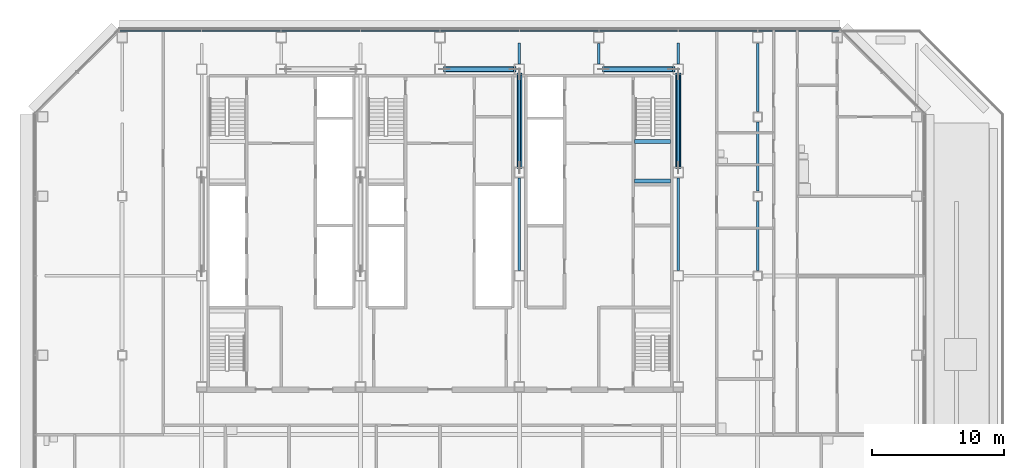
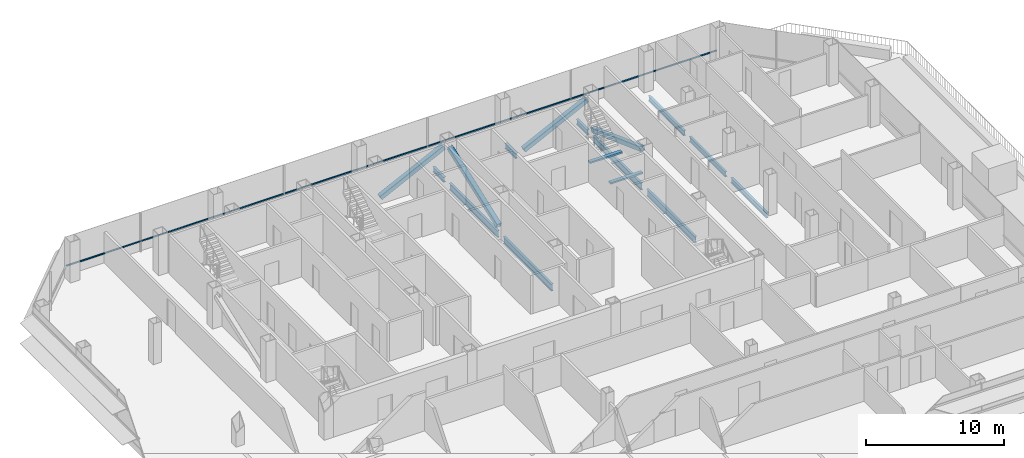
# One storey, part 12 of 28: 12 beams, 5 members, 1 element without a shape of its own.
"""IFC4 building model written with IfcOpenShell, lengths in metres."""

from ifc_helpers import new_model, si_unit, direction, frame, origin, origin_2d, place, context, subcontext, project, spatial, rectangle, hollow_rectangle, i_section, extrude, material, material_profile, profile_set, type_object, element, aggregate, save


model = new_model("IFC4")

# Units and contexts
model_context = context("Model", 3, precision=1e-05, world=origin(), true_north=direction((0.0, 1.0)))
body_context = subcontext(model_context, "Body", "Model", "MODEL_VIEW")
ifc_project = project(units=[si_unit("LENGTHUNIT", "METRE"), si_unit("AREAUNIT", "SQUARE_METRE"), si_unit("VOLUMEUNIT", "CUBIC_METRE"), si_unit("PLANEANGLEUNIT", "RADIAN"), si_unit("MASSUNIT", "GRAM", prefix="KILO")], contexts=[model_context])

# Site, building, storey
site_placement = place(None, origin())
site = spatial("IfcSite", under=ifc_project, at=site_placement, CompositionType="ELEMENT")
building_placement = place(site_placement, origin())
building = spatial("IfcBuilding", under=site, at=building_placement, Name="Sorahane Residences", CompositionType="ELEMENT")
storey_placement = place(building_placement, frame((0.0, 0.0, 96.199951171875)))
storey = spatial("IfcBuildingStorey", under=building, at=storey_placement, Name="L20", CompositionType="ELEMENT", Elevation=96.199951171875)

# Members
ifc_material_1 = material(Name="Steel Q355B", Category="steel")
ifc_material_profile_1 = material_profile(ifc_material_1, hollow_rectangle(XDim=0.39990234375, YDim=0.39990234375, WallThickness=0.02001953125, InnerFilletRadius=0.010009765625, OuterFilletRadius=0.030029296875, at=origin_2d()), Name="RHS 400x400x20")
ifc_profile_set_1 = profile_set([ifc_material_profile_1], Name="Steel Q355B")
member_type_1 = type_object("IfcMemberType", Name="Core brace RHS 400x400x20 Q355B", PredefinedType="BRACE", material=ifc_profile_set_1)
for number, where, z_axis, x_axis, name in (
    (1, (24.346923828125, 45.60009765625, 0.173828125), (0.896480070819, 0.0, 0.443084058192), (0.0, 1.0, 0.0), "Core brace L20 y45.6-4"),
    (2, (36.346923828125, 45.60009765625, 0.173828125), (0.896480070819, 0.0, 0.443084058192), (0.0, 1.0, 0.0), "Core brace L20 y45.6-6"),
):
    element("IfcMember", number, at=place(storey_placement, frame(where, z_axis=z_axis, x_axis=x_axis)), inside=storey, type_object=member_type_1, Name=name, PredefinedType="BRACE", context=body_context, shape_type="SweptSolid", body=[
        extrude(hollow_rectangle(XDim=0.39990234375, YDim=0.39990234375, WallThickness=0.02001953125, InnerFilletRadius=0.010009765625, OuterFilletRadius=0.030029296875, at=origin_2d()), origin(), (0.0, 0.0, 1.0), 5.9189453125),
    ])
for number, where, z_axis, x_axis, name in (
    (3, (42.0, 45.241455078125, 0.184814453125), (0.0, -0.938733651637, 0.344643484319), (1.0, 0.0, 0.0), "Core brace L20 x42-3"),
    (4, (30.0, 38.15869140625, 0.184814453125), (0.0, 0.938733651637, 0.344643484319), (-1.0, 0.0, 0.0), "Core brace L20 x30-2"),
):
    element("IfcMember", number, at=place(storey_placement, frame(where, z_axis=z_axis, x_axis=x_axis)), inside=storey, type_object=member_type_1, Name=name, PredefinedType="BRACE", context=body_context, shape_type="SweptSolid", body=[
        extrude(hollow_rectangle(XDim=0.39990234375, YDim=0.39990234375, WallThickness=0.02001953125, InnerFilletRadius=0.010009765625, OuterFilletRadius=0.030029296875, at=origin_2d()), origin(), (0.0, 0.0, 1.0), 7.544921875),
    ])

# Curtain wall, member
ifc_material_2 = material(Name="Dark low-e glass and black anodised aluminium", Category="aluminium")
curtain_wall_type = type_object("IfcCurtainWallType", Name="Curtain wall CW-1 Typical unitised wall", PredefinedType="NOTDEFINED", material=ifc_material_2)
curtain_wall_placement = place(storey_placement, origin())
curtain_wall = element("IfcCurtainWall", 5, at=curtain_wall_placement, inside=storey, type_object=curtain_wall_type, Name="CW-1 curtain wall L20 N1", PredefinedType="NOTDEFINED")
ifc_material_3 = material(Name="Black anodised aluminium", Category="aluminium")
ifc_material_profile_2 = material_profile(ifc_material_3, rectangle(XDim=0.10009765625, YDim=0.06005859375, at=origin_2d()), Name="Curtain wall transom CW-1 black anodised aluminium 60x100")
ifc_profile_set_2 = profile_set([ifc_material_profile_2], Name="Black anodised aluminium")
member_type_2 = type_object("IfcMemberType", Name="Curtain wall transom CW-1 black anodised aluminium 60x100", PredefinedType="USERDEFINED", material=ifc_profile_set_2)
member_placement = place(storey_placement, frame((54.198486328125, 48.530029296875, 0.900146484375), z_axis=(-1.0, 0.0, 0.0), x_axis=(0.0, -1.0, 0.0)))
member = element("IfcMember", 6, at=member_placement, type_object=member_type_2, Name="CW-1 transom L20 N1", ObjectType="TRANSOM", PredefinedType="USERDEFINED", context=body_context, shape_type="SweptSolid", body=[
    extrude(rectangle(XDim=0.10009765625, YDim=0.06005859375, at=origin_2d()), origin(), (0.0, 0.0, 1.0), 54.39697265625),
])
aggregate(curtain_wall, [member])

# Beams
ifc_material_4 = material(Name="Concrete C40", Category="concrete")
ifc_material_profile_3 = material_profile(ifc_material_4, rectangle(XDim=0.300048828125, YDim=0.139892578125, at=origin_2d()), Name="300x140")
ifc_profile_set_3 = profile_set([ifc_material_profile_3], Name="Concrete C40")
beam_type_1 = type_object("IfcBeamType", Name="RC landing beam 300 x 140 Concrete C40", PredefinedType="BEAM", material=ifc_profile_set_3)
for number, where, z_axis, x_axis, name in (
    (7, (38.699951171875, 37.14990234375, 1.530029296875), (1.0, 0.0, 0.0), (0.0, 1.0, 0.0), "Landing beam"),
    (8, (38.699951171875, 40.14990234375, 1.530029296875), (1.0, 0.0, 0.0), (0.0, 1.0, 0.0), "Landing beam"),
):
    element("IfcBeam", number, at=place(storey_placement, frame(where, z_axis=z_axis, x_axis=x_axis)), inside=storey, type_object=beam_type_1, Name=name, PredefinedType="BEAM", context=body_context, shape_type="SweptSolid", body=[
        extrude(rectangle(XDim=0.300048828125, YDim=0.139892578125, at=origin_2d()), origin(), (0.0, 0.0, 1.0), 2.699951171875),
    ])
ifc_material_5 = material(Name="Steel Q355B", Category="steel")
ifc_material_profile_4 = material_profile(ifc_material_5, i_section(OverallWidth=0.199951171875, OverallDepth=0.449951171875, WebThickness=0.009033203125, FlangeThickness=0.013916015625, FilletRadius=0.02001953125, at=origin_2d()), Name="HN 450x200x9x14")
ifc_profile_set_4 = profile_set([ifc_material_profile_4], Name="Steel Q355B")
beam_type_2 = type_object("IfcBeamType", Name="Steel floor beam HN 450x200x9x14 Q355B", PredefinedType="BEAM", material=ifc_profile_set_4)
beam_1_placement = place(storey_placement, frame((30.0, 46.0, -0.52490234375), z_axis=(0.0, 1.0, 0.0), x_axis=(-1.0, 0.0, 0.0)))
element("IfcBeam", 9, at=beam_1_placement, inside=storey, type_object=beam_type_2, Name="Beam L20 033", PredefinedType="BEAM", context=body_context, shape_type="SweptSolid", body=[
    extrude(i_section(OverallWidth=0.199951171875, OverallDepth=0.449951171875, WebThickness=0.009033203125, FlangeThickness=0.013916015625, FilletRadius=0.02001953125, at=origin_2d()), origin(), (0.0, 0.0, 1.0), 1.60009765625),
])
beam_2_placement = place(storey_placement, frame((36.0, 46.0, -0.52490234375), z_axis=(0.0, 1.0, 0.0), x_axis=(-1.0, 0.0, 0.0)))
element("IfcBeam", 10, at=beam_2_placement, inside=storey, type_object=beam_type_2, Name="Beam L20 036", PredefinedType="BEAM", context=body_context, shape_type="SweptSolid", body=[
    extrude(i_section(OverallWidth=0.199951171875, OverallDepth=0.449951171875, WebThickness=0.009033203125, FlangeThickness=0.013916015625, FilletRadius=0.02001953125, at=origin_2d()), origin(), (0.0, 0.0, 1.0), 1.550048828125),
])
beam_3_placement = place(storey_placement, frame((42.0, 46.0, -0.52490234375), z_axis=(0.0, 1.0, 0.0), x_axis=(-1.0, 0.0, 0.0)))
element("IfcBeam", 11, at=beam_3_placement, inside=storey, type_object=beam_type_2, Name="Beam L20 043", PredefinedType="BEAM", context=body_context, shape_type="SweptSolid", body=[
    extrude(i_section(OverallWidth=0.199951171875, OverallDepth=0.449951171875, WebThickness=0.009033203125, FlangeThickness=0.013916015625, FilletRadius=0.02001953125, at=origin_2d()), origin(), (0.0, 0.0, 1.0), 1.60009765625),
])
for number, where, z_axis, x_axis, name in (
    (12, (48.0, 30.39990234375, -0.52490234375), (0.0, 1.0, 0.0), (-1.0, 0.0, 0.0), "Beam L20 048"),
    (13, (48.0, 36.39990234375, -0.52490234375), (0.0, 1.0, 0.0), (-1.0, 0.0, 0.0), "Beam L20 049"),
):
    element("IfcBeam", number, at=place(storey_placement, frame(where, z_axis=z_axis, x_axis=x_axis)), inside=storey, type_object=beam_type_2, Name=name, PredefinedType="BEAM", context=body_context, shape_type="SweptSolid", body=[
        extrude(i_section(OverallWidth=0.199951171875, OverallDepth=0.449951171875, WebThickness=0.009033203125, FlangeThickness=0.013916015625, FilletRadius=0.02001953125, at=origin_2d()), origin(), (0.0, 0.0, 1.0), 5.2001953125),
    ])
beam_4_placement = place(storey_placement, frame((48.0, 42.39990234375, -0.52490234375), z_axis=(0.0, 1.0, 0.0), x_axis=(-1.0, 0.0, 0.0)))
element("IfcBeam", 14, at=beam_4_placement, inside=storey, type_object=beam_type_2, Name="Beam L20 050", PredefinedType="BEAM", context=body_context, shape_type="SweptSolid", body=[
    extrude(i_section(OverallWidth=0.199951171875, OverallDepth=0.449951171875, WebThickness=0.009033203125, FlangeThickness=0.013916015625, FilletRadius=0.02001953125, at=origin_2d()), origin(), (0.0, 0.0, 1.0), 5.150146484375),
])
ifc_material_6 = material(Name="Steel Q355B", Category="steel")
ifc_material_profile_5 = material_profile(ifc_material_6, i_section(OverallWidth=0.199951171875, OverallDepth=0.60009765625, WebThickness=0.010986328125, FlangeThickness=0.01708984375, FilletRadius=0.02392578125, at=origin_2d()), Name="HN 600x200x11x17")
ifc_profile_set_5 = profile_set([ifc_material_profile_5], Name="Steel Q355B")
beam_type_3 = type_object("IfcBeamType", Name="Steel floor beam HN 600x200x11x17 Q355B", PredefinedType="BEAM", material=ifc_profile_set_5)
for number, where, z_axis, x_axis, name in (
    (15, (30.0, 30.39990234375, -0.599853515625), (0.0, 1.0, 0.0), (-1.0, 0.0, 0.0), "Beam L20 031"),
    (16, (30.0, 38.199951171875, -0.599853515625), (0.0, 1.0, 0.0), (-1.0, 0.0, 0.0), "Beam L20 032"),
    (17, (42.0, 30.39990234375, -0.599853515625), (0.0, 1.0, 0.0), (-1.0, 0.0, 0.0), "Beam L20 041"),
    (18, (42.0, 38.199951171875, -0.599853515625), (0.0, 1.0, 0.0), (-1.0, 0.0, 0.0), "Beam L20 042"),
):
    element("IfcBeam", number, at=place(storey_placement, frame(where, z_axis=z_axis, x_axis=x_axis)), inside=storey, type_object=beam_type_3, Name=name, PredefinedType="BEAM", context=body_context, shape_type="SweptSolid", body=[
        extrude(i_section(OverallWidth=0.199951171875, OverallDepth=0.60009765625, WebThickness=0.010986328125, FlangeThickness=0.01708984375, FilletRadius=0.02392578125, at=origin_2d()), origin(), (0.0, 0.0, 1.0), 7.0),
    ])

save(model, "model.ifc")
